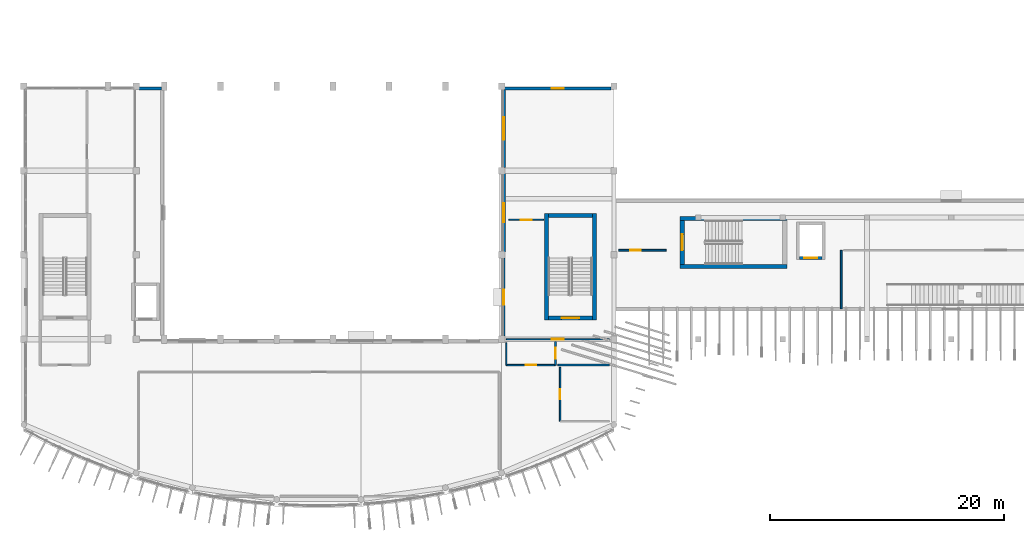
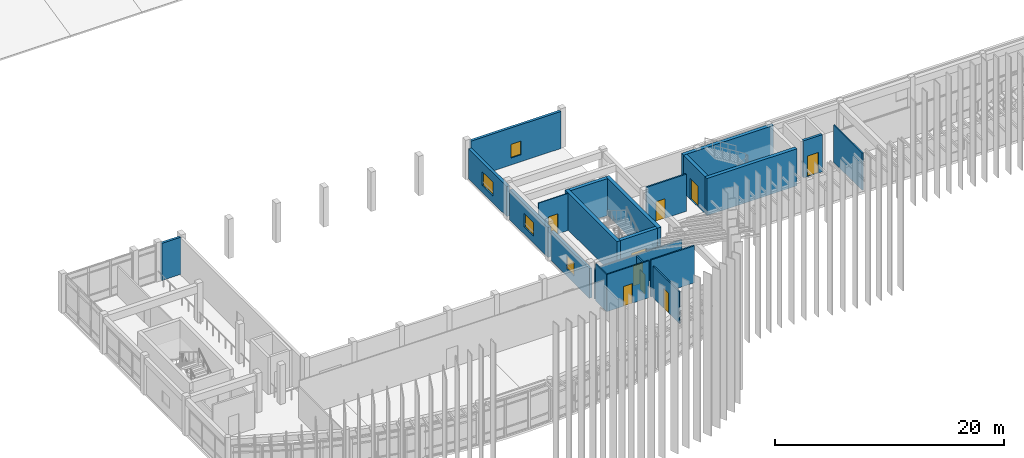
# One storey, part 30 of 47: 22 walls, 9 doors, 4 windows, 13 openings.
"""IFC4 building model written with IfcOpenShell, lengths in metres."""

from ifc_helpers import new_model, si_unit, direction, frame, frame_2d, origin, place, context, subcontext, project, spatial, rectangle, extrude, material, layer, layer_set, type_object, element, fill, save


model = new_model("IFC4")

# Units and contexts
model_context = context("Model", 3, precision=1e-05, world=origin(), true_north=direction((0.0, 1.0)))
body_context = subcontext(model_context, "Body", "Model", "MODEL_VIEW")
ifc_project = project(units=[si_unit("LENGTHUNIT", "METRE"), si_unit("AREAUNIT", "SQUARE_METRE"), si_unit("VOLUMEUNIT", "CUBIC_METRE"), si_unit("PLANEANGLEUNIT", "RADIAN"), si_unit("MASSUNIT", "GRAM", prefix="KILO")], contexts=[model_context])

# Site, building, storey
site_placement = place(None, origin())
site = spatial("IfcSite", under=ifc_project, at=site_placement, CompositionType="ELEMENT")
building_placement = place(site_placement, origin())
building = spatial("IfcBuilding", under=site, at=building_placement, Name="Brisavento Harbour Community Centre", CompositionType="ELEMENT")
storey_placement = place(building_placement, frame((0.0, 0.0, 8.699951171875)))
storey = spatial("IfcBuildingStorey", under=building, at=storey_placement, Name="L02", CompositionType="ELEMENT", Elevation=8.699951171875)

# Walls
ifc_material_1 = material(Name="Concrete C40/50", Category="concrete")
ifc_layer_1 = layer(ifc_material_1, 0.35009765625, Name="Concrete C40/50")
ifc_layer_set_1 = layer_set([ifc_layer_1], Name="Concrete C40/50")
wall_type_1 = type_object("IfcWallType", Name="WL-CORE-350", PredefinedType="SHEAR", material=ifc_layer_set_1)
for number, where, z_axis, x_axis, name in (
    (1, (48.72509765625, 16.050048828125, 0.0), (0.0, 0.0, 1.0), (0.0, 1.0, 0.0), "L02 core C1B shear wall L"),
    (2, (44.625, 25.14990234375, 0.0), (0.0, 0.0, 1.0), (0.0, -1.0, 0.0), "L02 core C1B shear wall R"),
):
    element("IfcWall", number, at=place(storey_placement, frame(where, z_axis=z_axis, x_axis=x_axis)), inside=storey, type_object=wall_type_1, Name=name, PredefinedType="SHEAR", context=body_context, shape_type="SweptSolid", body=[
        extrude(rectangle(XDim=9.099853515625, YDim=0.35009765625, at=frame_2d((4.5498046875, 0.0))), origin(), (0.0, 0.0, 1.0), 3.9599609375),
    ])
wall_1_placement = place(storey_placement, frame((48.550048828125, 24.97509765625, 0.0), z_axis=(0.0, 0.0, 1.0), x_axis=(-1.0, 0.0, 0.0)))
element("IfcWall", 3, at=wall_1_placement, inside=storey, type_object=wall_type_1, Name="L02 core C1B shear wall F", PredefinedType="SHEAR", context=body_context, shape_type="SweptSolid", body=[
    extrude(rectangle(XDim=3.75, YDim=0.35009765625, at=frame_2d((1.875, 0.0))), origin(), (0.0, 0.0, 1.0), 3.9599609375),
])

# Wall, opening, door
wall_2_placement = place(storey_placement, frame((44.800048828125, 16.22509765625, 0.0), z_axis=(0.0, 0.0, 1.0), x_axis=(1.0, 0.0, 0.0)))
wall_2 = element("IfcWall", 4, at=wall_2_placement, inside=storey, type_object=wall_type_1, Name="L02 core C1B shear wall N", PredefinedType="SHEAR", context=body_context, shape_type="SweptSolid", body=[
    extrude(rectangle(XDim=3.75, YDim=0.35009765625, at=frame_2d((1.875, 0.0))), origin(), (0.0, 0.0, 1.0), 3.9599609375),
])
opening_1_placement = place(wall_2_placement, frame((1.125, 0.0, 0.0)))
opening_1 = element("IfcOpeningElement", 5, at=opening_1_placement, cuts=wall_2, Name="Opening SD-01", PredefinedType="OPENING", context=body_context, shape_type="SweptSolid", body=[
    extrude(rectangle(XDim=1.5, YDim=2.199951171875, at=frame_2d((0.75, 1.10009765625))), frame((0.0, 0.18505859375, 0.0), z_axis=(0.0, -1.0, 0.0), x_axis=(1.0, 0.0, 0.0)), (0.0, 0.0, 1.0), 0.3701171875),
])
ifc_material_2 = material(Name="Fire-rated steel door assembly", Category="steel")
door_type_1 = type_object("IfcDoorType", Name="DR-STAIR-150x220", OperationType="NOTDEFINED", PredefinedType="DOOR", material=ifc_material_2)
door_1_placement = place(opening_1_placement, origin())
door_1 = element("IfcDoor", 6, at=door_1_placement, inside=storey, type_object=door_type_1, Name="L02 exit stair ST-02 fire door", OperationType="SINGLE_SWING_RIGHT", OverallHeight=2.199951171875, OverallWidth=1.5, PredefinedType="DOOR", context=body_context, shape_type="SweptSolid", body=[
    extrude(rectangle(XDim=1.5, YDim=2.199951171875, at=frame_2d((0.75, 1.10009765625))), frame((0.0, 0.02490234375, 0.0), z_axis=(0.0, -1.0, 0.0), x_axis=(1.0, 0.0, 0.0)), (0.0, 0.0, 1.0), 0.050048828125),
])
fill(opening_1, door_1)

# Walls
for number, where, z_axis, x_axis, name in (
    (7, (56.050048828125, 20.625, 0.0), (0.0, 0.0, 1.0), (1.0, 0.0, 0.0), "L02 core C2 shear wall L"),
    (8, (65.14990234375, 24.72509765625, 0.0), (0.0, 0.0, 1.0), (-1.0, 0.0, 0.0), "L02 core C2 shear wall R"),
):
    element("IfcWall", number, at=place(storey_placement, frame(where, z_axis=z_axis, x_axis=x_axis)), inside=storey, type_object=wall_type_1, Name=name, PredefinedType="SHEAR", context=body_context, shape_type="SweptSolid", body=[
        extrude(rectangle(XDim=9.099853515625, YDim=0.35009765625, at=frame_2d((4.5498046875, 0.0))), origin(), (0.0, 0.0, 1.0), 3.9599609375),
    ])

# Wall, opening, door
wall_3_placement = place(storey_placement, frame((56.22509765625, 24.550048828125, 0.0), z_axis=(0.0, 0.0, 1.0), x_axis=(0.0, -1.0, 0.0)))
wall_3 = element("IfcWall", 9, at=wall_3_placement, inside=storey, type_object=wall_type_1, Name="L02 core C2 shear wall N", PredefinedType="SHEAR", context=body_context, shape_type="SweptSolid", body=[
    extrude(rectangle(XDim=3.75, YDim=0.35009765625, at=frame_2d((1.875, 0.0))), origin(), (0.0, 0.0, 1.0), 3.9599609375),
])
opening_2_placement = place(wall_3_placement, frame((1.199951171875, 0.0, 0.0)))
opening_2 = element("IfcOpeningElement", 10, at=opening_2_placement, cuts=wall_3, Name="Opening SD-02", PredefinedType="OPENING", context=body_context, shape_type="SweptSolid", body=[
    extrude(rectangle(XDim=1.35009765625, YDim=2.199951171875, at=frame_2d((0.675048828125, 1.10009765625))), frame((0.0, 0.18505859375, 0.0), z_axis=(0.0, -1.0, 0.0), x_axis=(1.0, 0.0, 0.0)), (0.0, 0.0, 1.0), 0.3701171875),
])
door_type_2 = type_object("IfcDoorType", Name="DR-STAIR-135x220", OperationType="NOTDEFINED", PredefinedType="DOOR", material=ifc_material_2)
door_2_placement = place(opening_2_placement, origin())
door_2 = element("IfcDoor", 11, at=door_2_placement, inside=storey, type_object=door_type_2, Name="L02 exit stair ST-03 fire door", OperationType="SINGLE_SWING_LEFT", OverallHeight=2.199951171875, OverallWidth=1.35009765625, PredefinedType="DOOR", context=body_context, shape_type="SweptSolid", body=[
    extrude(rectangle(XDim=1.35009765625, YDim=2.199951171875, at=frame_2d((0.675048828125, 1.10009765625))), frame((0.0, 0.02490234375, 0.0), z_axis=(0.0, -1.0, 0.0), x_axis=(1.0, 0.0, 0.0)), (0.0, 0.0, 1.0), 0.050048828125),
])
fill(opening_2, door_2)

# Wall, opening, window
ifc_material_3 = material(Name="Terracotta masonry unit", Category="masonry")
ifc_layer_2 = layer(ifc_material_3, 0.239990234375, Name="Terracotta masonry unit")
ifc_layer_set_2 = layer_set([ifc_layer_2], Name="Terracotta masonry unit")
wall_type_2 = type_object("IfcWallType", Name="WL-EXT-240", PredefinedType="SOLIDWALL", material=ifc_layer_set_2)
wall_4_placement = place(storey_placement, frame((40.97998046875, 14.659912109375, 0.0), z_axis=(0.0, 0.0, 1.0), x_axis=(0.0, 1.0, 0.0)))
wall_4 = element("IfcWall", 12, at=wall_4_placement, inside=storey, type_object=wall_type_2, Name="L02 V1 exterior wall 0223", PredefinedType="SOLIDWALL", context=body_context, shape_type="SweptSolid", body=[
    extrude(rectangle(XDim=6.68017578125, YDim=0.239990234375, at=frame_2d((3.340087890625, 0.0))), origin(), (0.0, 0.0, 1.0), 3.16015625),
])
opening_3_placement = place(wall_4_placement, frame((2.68994140625, 0.0, 0.75)))
opening_3 = element("IfcOpeningElement", 13, at=opening_3_placement, cuts=wall_4, Name="Opening W-30", PredefinedType="OPENING", context=body_context, shape_type="SweptSolid", body=[
    extrude(rectangle(XDim=1.300048828125, YDim=1.449951171875, at=frame_2d((0.64990234375, 0.72509765625))), frame((0.0, 0.1298828125, 0.0), z_axis=(0.0, -1.0, 0.0), x_axis=(1.0, 0.0, 0.0)), (0.0, 0.0, 1.0), 0.260009765625),
])
ifc_material_4 = material(Name="Solar-control laminated low-E glass", Category="glass")
window_type_1 = type_object("IfcWindowType", Name="WIN-CAS-30", PartitioningType="SINGLE_PANEL", PredefinedType="WINDOW", material=ifc_material_4)
window_1_placement = place(opening_3_placement, origin())
window_1 = element("IfcWindow", 14, at=window_1_placement, inside=storey, type_object=window_type_1, Name="L02 V1 impact casement window 0102", OverallHeight=1.449951171875, OverallWidth=1.300048828125, PartitioningType="SINGLE_PANEL", PredefinedType="WINDOW", context=body_context, shape_type="SweptSolid", body=[
    extrude(rectangle(XDim=1.300048828125, YDim=1.449951171875, at=frame_2d((0.64990234375, 0.72509765625))), frame((0.0, 0.030029296875, 0.0), z_axis=(0.0, -1.0, 0.0), x_axis=(1.0, 0.0, 0.0)), (0.0, 0.0, 1.0), 0.06005859375),
])
fill(opening_3, window_1)

# Wall
wall_5_placement = place(storey_placement, frame((9.860107421875, 35.820068359375, 0.0), z_axis=(0.0, 0.0, 1.0), x_axis=(1.0, 0.0, 0.0)))
element("IfcWall", 15, at=wall_5_placement, inside=storey, type_object=wall_type_2, Name="L02 V1 exterior wall 0233", PredefinedType="SOLIDWALL", context=body_context, shape_type="SweptSolid", body=[
    extrude(rectangle(XDim=1.90478515625, YDim=0.239990234375, at=frame_2d((0.952392578125, 0.0))), origin(), (0.0, 0.0, 1.0), 3.9599609375),
])

# Wall, opening, window
ifc_layer_3 = layer(ifc_material_3, 0.260009765625, Name="Terracotta masonry unit")
ifc_layer_set_3 = layer_set([ifc_layer_3], Name="Terracotta masonry unit")
wall_type_3 = type_object("IfcWallType", Name="WL-EXT-260", PredefinedType="SOLIDWALL", material=ifc_layer_set_3)
wall_6_placement = place(storey_placement, frame((41.06005859375, 35.820068359375, 0.0), z_axis=(0.0, 0.0, 1.0), x_axis=(1.0, 0.0, 0.0)))
wall_6 = element("IfcWall", 16, at=wall_6_placement, inside=storey, type_object=wall_type_3, Name="L02 V1 exterior wall 0222", PredefinedType="SOLIDWALL", context=body_context, shape_type="SweptSolid", body=[
    extrude(rectangle(XDim=9.079833984375, YDim=0.260009765625, at=frame_2d((4.5400390625, 0.0))), origin(), (0.0, 0.0, 1.0), 3.9599609375),
])
opening_4_placement = place(wall_6_placement, frame((4.0400390625, 0.0, 0.75)))
opening_4 = element("IfcOpeningElement", 17, at=opening_4_placement, cuts=wall_6, Name="Opening W-29", PredefinedType="OPENING", context=body_context, shape_type="SweptSolid", body=[
    extrude(rectangle(XDim=1.0, YDim=1.449951171875, at=frame_2d((0.5, 0.72509765625))), frame((0.0, 0.14013671875, 0.0), z_axis=(0.0, -1.0, 0.0), x_axis=(1.0, 0.0, 0.0)), (0.0, 0.0, 1.0), 0.280029296875),
])
window_type_2 = type_object("IfcWindowType", Name="WIN-CAS-29", PartitioningType="SINGLE_PANEL", PredefinedType="WINDOW", material=ifc_material_4)
window_2_placement = place(opening_4_placement, origin())
window_2 = element("IfcWindow", 18, at=window_2_placement, inside=storey, type_object=window_type_2, Name="L02 V1 impact casement window 0101", OverallHeight=1.449951171875, OverallWidth=1.0, PartitioningType="SINGLE_PANEL", PredefinedType="WINDOW", context=body_context, shape_type="SweptSolid", body=[
    extrude(rectangle(XDim=1.0, YDim=1.449951171875, at=frame_2d((0.5, 0.72509765625))), frame((0.0, 0.030029296875, 0.0), z_axis=(0.0, -1.0, 0.0), x_axis=(1.0, 0.0, 0.0)), (0.0, 0.0, 1.0), 0.06005859375),
])
fill(opening_4, window_2)

ifc_material_5 = material(Name="Concrete C35/45", Category="concrete")
ifc_layer_4 = layer(ifc_material_5, 0.300048828125, Name="Concrete C35/45")
ifc_layer_set_4 = layer_set([ifc_layer_4], Name="Concrete C35/45")
wall_type_4 = type_object("IfcWallType", Name="WL-EXT-300", PredefinedType="SOLIDWALL", material=ifc_layer_set_4)
wall_7_placement = place(storey_placement, frame((40.97998046875, 29.06005859375, 0.0), z_axis=(0.0, 0.0, 1.0), x_axis=(0.0, 1.0, 0.0)))
wall_7 = element("IfcWall", 19, at=wall_7_placement, inside=storey, type_object=wall_type_4, Name="L02 V1 exterior wall 0225", PredefinedType="SOLIDWALL", context=body_context, shape_type="SweptSolid", body=[
    extrude(rectangle(XDim=6.679931640625, YDim=0.300048828125, at=frame_2d((3.33984375, 0.0))), origin(), (0.0, 0.0, 1.0), 3.2099609375),
])
opening_5_placement = place(wall_7_placement, frame((2.389892578125, 0.0, 0.75)))
opening_5 = element("IfcOpeningElement", 20, at=opening_5_placement, cuts=wall_7, Name="Opening W-32", PredefinedType="OPENING", context=body_context, shape_type="SweptSolid", body=[
    extrude(rectangle(XDim=1.89990234375, YDim=1.449951171875, at=frame_2d((0.949951171875, 0.72509765625))), frame((0.0, 0.16015625, 0.0), z_axis=(0.0, -1.0, 0.0), x_axis=(1.0, 0.0, 0.0)), (0.0, 0.0, 1.0), 0.320068359375),
])
window_type_3 = type_object("IfcWindowType", Name="WIN-CAS-32", PartitioningType="SINGLE_PANEL", PredefinedType="WINDOW", material=ifc_material_4)
window_3_placement = place(opening_5_placement, origin())
window_3 = element("IfcWindow", 21, at=window_3_placement, inside=storey, type_object=window_type_3, Name="L02 V1 impact casement window 0104", OverallHeight=1.449951171875, OverallWidth=1.89990234375, PartitioningType="SINGLE_PANEL", PredefinedType="WINDOW", context=body_context, shape_type="SweptSolid", body=[
    extrude(rectangle(XDim=1.89990234375, YDim=1.449951171875, at=frame_2d((0.949951171875, 0.72509765625))), frame((0.0, 0.030029296875, 0.0), z_axis=(0.0, -1.0, 0.0), x_axis=(1.0, 0.0, 0.0)), (0.0, 0.0, 1.0), 0.06005859375),
])
fill(opening_5, window_3)

ifc_layer_5 = layer(ifc_material_5, 0.320068359375, Name="Concrete C35/45")
ifc_layer_set_5 = layer_set([ifc_layer_5], Name="Concrete C35/45")
wall_type_5 = type_object("IfcWallType", Name="WL-EXT-320", PredefinedType="SOLIDWALL", material=ifc_layer_set_5)
wall_8_placement = place(storey_placement, frame((40.97998046875, 21.860107421875, 0.0), z_axis=(0.0, 0.0, 1.0), x_axis=(0.0, 1.0, 0.0)))
wall_8 = element("IfcWall", 22, at=wall_8_placement, inside=storey, type_object=wall_type_5, Name="L02 V1 exterior wall 0224", PredefinedType="SOLIDWALL", context=body_context, shape_type="SweptSolid", body=[
    extrude(rectangle(XDim=6.679931640625, YDim=0.320068359375, at=frame_2d((3.33984375, 0.0))), origin(), (0.0, 0.0, 1.0), 3.2099609375),
])
opening_6_placement = place(wall_8_placement, frame((2.5400390625, 0.0, 0.75)))
opening_6 = element("IfcOpeningElement", 23, at=opening_6_placement, cuts=wall_8, Name="Opening W-31", PredefinedType="OPENING", context=body_context, shape_type="SweptSolid", body=[
    extrude(rectangle(XDim=1.60009765625, YDim=1.449951171875, at=frame_2d((0.800048828125, 0.72509765625))), frame((0.0, 0.169921875, 0.0), z_axis=(0.0, -1.0, 0.0), x_axis=(1.0, 0.0, 0.0)), (0.0, 0.0, 1.0), 0.340087890625),
])
window_type_4 = type_object("IfcWindowType", Name="WIN-CAS-31", PartitioningType="SINGLE_PANEL", PredefinedType="WINDOW", material=ifc_material_4)
window_4_placement = place(opening_6_placement, origin())
window_4 = element("IfcWindow", 24, at=window_4_placement, inside=storey, type_object=window_type_4, Name="L02 V1 impact casement window 0103", OverallHeight=1.449951171875, OverallWidth=1.60009765625, PartitioningType="SINGLE_PANEL", PredefinedType="WINDOW", context=body_context, shape_type="SweptSolid", body=[
    extrude(rectangle(XDim=1.60009765625, YDim=1.449951171875, at=frame_2d((0.800048828125, 0.72509765625))), frame((0.0, 0.030029296875, 0.0), z_axis=(0.0, -1.0, 0.0), x_axis=(1.0, 0.0, 0.0)), (0.0, 0.0, 1.0), 0.06005859375),
])
fill(opening_6, window_4)

# Wall, opening, door
ifc_material_6 = material(Name="Lightweight stud partition", Category="other")
ifc_layer_6 = layer(ifc_material_6, 0.10009765625, Name="Lightweight stud partition")
ifc_layer_set_6 = layer_set([ifc_layer_6], Name="Lightweight stud partition")
wall_type_6 = type_object("IfcWallType", Name="WL-PRT-100", PredefinedType="PARTITIONING", material=ifc_layer_set_6)
wall_9_placement = place(storey_placement, frame((44.389892578125, 24.60009765625, 0.0), z_axis=(0.0, 0.0, 1.0), x_axis=(-1.0, 0.0, 0.0)))
wall_9 = element("IfcWall", 25, at=wall_9_placement, inside=storey, type_object=wall_type_6, Name="L02 Choral Rehearsal Room partition 0207", PredefinedType="PARTITIONING", context=body_context, shape_type="SweptSolid", body=[
    extrude(rectangle(XDim=2.9599609375, YDim=0.10009765625, at=frame_2d((1.47998046875, 0.0))), origin(), (0.0, 0.0, 1.0), 3.9599609375),
])
opening_7_placement = place(wall_9_placement, frame((1.0048828125, 0.0, 0.0)))
opening_7 = element("IfcOpeningElement", 26, at=opening_7_placement, cuts=wall_9, Name="Opening ID-10", PredefinedType="OPENING", context=body_context, shape_type="SweptSolid", body=[
    extrude(rectangle(XDim=0.949951171875, YDim=2.14990234375, at=frame_2d((0.47509765625, 1.074951171875))), frame((0.0, 0.06005859375, 0.0), z_axis=(0.0, -1.0, 0.0), x_axis=(1.0, 0.0, 0.0)), (0.0, 0.0, 1.0), 0.1201171875),
])
ifc_material_7 = material(Name="Solid-core tropical timber door", Category="wood")
door_type_3 = type_object("IfcDoorType", Name="DR-INT-095x215", OperationType="NOTDEFINED", PredefinedType="DOOR", material=ifc_material_7)
door_3_placement = place(opening_7_placement, origin())
door_3 = element("IfcDoor", 27, at=door_3_placement, inside=storey, type_object=door_type_3, Name="L02 Community Legal Advisory Suite door 0076", OperationType="SINGLE_SWING_LEFT", OverallHeight=2.14990234375, OverallWidth=0.949951171875, PredefinedType="DOOR", context=body_context, shape_type="SweptSolid", body=[
    extrude(rectangle(XDim=0.949951171875, YDim=2.14990234375, at=frame_2d((0.47509765625, 1.074951171875))), frame((0.0, 0.02490234375, 0.0), z_axis=(0.0, -1.0, 0.0), x_axis=(1.0, 0.0, 0.0)), (0.0, 0.0, 1.0), 0.050048828125),
])
fill(opening_7, door_3)

# Wall
wall_10_placement = place(storey_placement, frame((41.199951171875, 14.0849609375, 0.0), z_axis=(0.0, 0.0, 1.0), x_axis=(0.0, -1.0, 0.0)))
element("IfcWall", 28, at=wall_10_placement, inside=storey, type_object=wall_type_6, Name="L02 Male WC L02 partition 0239", PredefinedType="PARTITIONING", context=body_context, shape_type="SweptSolid", body=[
    extrude(rectangle(XDim=1.885009765625, YDim=0.10009765625, at=frame_2d((0.9423828125, 0.0))), origin(), (0.0, 0.0, 1.0), 3.9599609375),
])

# Wall, opening, door
ifc_material_8 = material(Name="Gypsum metal-stud partition", Category="other")
ifc_layer_7 = layer(ifc_material_8, 0.1201171875, Name="Gypsum metal-stud partition")
ifc_layer_set_7 = layer_set([ifc_layer_7], Name="Gypsum metal-stud partition")
wall_type_7 = type_object("IfcWallType", Name="WL-PRT-120", PredefinedType="PARTITIONING", material=ifc_layer_set_7)
wall_11_placement = place(storey_placement, frame((41.199951171875, 14.39990234375, 0.0), z_axis=(0.0, 0.0, 1.0), x_axis=(1.0, 0.0, 0.0)))
wall_11 = element("IfcWall", 29, at=wall_11_placement, inside=storey, type_object=wall_type_7, Name="L02 Choral Rehearsal Room partition 0206", PredefinedType="PARTITIONING", context=body_context, shape_type="SweptSolid", body=[
    extrude(rectangle(XDim=8.800048828125, YDim=0.1201171875, at=frame_2d((4.39990234375, 0.0))), origin(), (0.0, 0.0, 1.0), 3.260009765625),
])
opening_8_placement = place(wall_11_placement, frame((3.89990234375, 0.0, 0.0)))
opening_8 = element("IfcOpeningElement", 30, at=opening_8_placement, cuts=wall_11, Name="Opening ID-09", PredefinedType="OPENING", context=body_context, shape_type="SweptSolid", body=[
    extrude(rectangle(XDim=1.0, YDim=2.14990234375, at=frame_2d((0.5, 1.074951171875))), frame((0.0, 0.070068359375, 0.0), z_axis=(0.0, -1.0, 0.0), x_axis=(1.0, 0.0, 0.0)), (0.0, 0.0, 1.0), 0.14013671875),
])
door_type_4 = type_object("IfcDoorType", Name="DR-INT-100x215", OperationType="NOTDEFINED", PredefinedType="DOOR", material=ifc_material_7)
door_4_placement = place(opening_8_placement, origin())
door_4 = element("IfcDoor", 31, at=door_4_placement, inside=storey, type_object=door_type_4, Name="L02 Choral Rehearsal Room door 0075", OperationType="SINGLE_SWING_RIGHT", OverallHeight=2.14990234375, OverallWidth=1.0, PredefinedType="DOOR", context=body_context, shape_type="SweptSolid", body=[
    extrude(rectangle(XDim=1.0, YDim=2.14990234375, at=frame_2d((0.5, 1.074951171875))), frame((0.0, 0.02490234375, 0.0), z_axis=(0.0, -1.0, 0.0), x_axis=(1.0, 0.0, 0.0)), (0.0, 0.0, 1.0), 0.050048828125),
])
fill(opening_8, door_4)

wall_12_placement = place(storey_placement, frame((41.199951171875, 12.199951171875, 0.0), z_axis=(0.0, 0.0, 1.0), x_axis=(1.0, 0.0, 0.0)))
wall_12 = element("IfcWall", 32, at=wall_12_placement, inside=storey, type_object=wall_type_7, Name="L02 Male WC L02 partition 0238", PredefinedType="PARTITIONING", context=body_context, shape_type="SweptSolid", body=[
    extrude(rectangle(XDim=4.199951171875, YDim=0.1201171875, at=frame_2d((2.10009765625, 0.0))), origin(), (0.0, 0.0, 1.0), 3.9599609375),
])
opening_9_placement = place(wall_12_placement, frame((1.659912109375, 0.0, 0.0)))
opening_9 = element("IfcOpeningElement", 33, at=opening_9_placement, cuts=wall_12, Name="Opening WD-02", PredefinedType="OPENING", context=body_context, shape_type="SweptSolid", body=[
    extrude(rectangle(XDim=0.8798828125, YDim=2.10009765625, at=frame_2d((0.43994140625, 1.050048828125))), frame((0.0, 0.070068359375, 0.0), z_axis=(0.0, -1.0, 0.0), x_axis=(1.0, 0.0, 0.0)), (0.0, 0.0, 1.0), 0.14013671875),
])
ifc_material_9 = material(Name="Moisture-resistant laminate door", Category="other")
door_type_5 = type_object("IfcDoorType", Name="DR-WC-088x210", OperationType="NOTDEFINED", PredefinedType="DOOR", material=ifc_material_9)
door_5_placement = place(opening_9_placement, origin())
door_5 = element("IfcDoor", 34, at=door_5_placement, inside=storey, type_object=door_type_5, Name="L02 Male WC L02 door 0090", OperationType="SINGLE_SWING_LEFT", OverallHeight=2.10009765625, OverallWidth=0.8798828125, PredefinedType="DOOR", context=body_context, shape_type="SweptSolid", body=[
    extrude(rectangle(XDim=0.8798828125, YDim=2.10009765625, at=frame_2d((0.43994140625, 1.050048828125))), frame((0.0, 0.02490234375, 0.0), z_axis=(0.0, -1.0, 0.0), x_axis=(1.0, 0.0, 0.0)), (0.0, 0.0, 1.0), 0.050048828125),
])
fill(opening_9, door_5)

wall_13_placement = place(storey_placement, frame((45.800048828125, 12.0, 0.0), z_axis=(0.0, 0.0, 1.0), x_axis=(0.0, -1.0, 0.0)))
wall_13 = element("IfcWall", 35, at=wall_13_placement, inside=storey, type_object=wall_type_7, Name="L02 Accessible WC L02 partition 0242", PredefinedType="PARTITIONING", context=body_context, shape_type="SweptSolid", body=[
    extrude(rectangle(XDim=4.60009765625, YDim=0.1201171875, at=frame_2d((2.300048828125, 0.0))), origin(), (0.0, 0.0, 1.0), 3.360107421875),
])
opening_10_placement = place(wall_13_placement, frame((1.860107421875, 0.0, 0.0)))
opening_10 = element("IfcOpeningElement", 36, at=opening_10_placement, cuts=wall_13, Name="Opening WD-02", PredefinedType="OPENING", context=body_context, shape_type="SweptSolid", body=[
    extrude(rectangle(XDim=0.8798828125, YDim=2.10009765625, at=frame_2d((0.43994140625, 1.050048828125))), frame((0.0, 0.070068359375, 0.0), z_axis=(0.0, -1.0, 0.0), x_axis=(1.0, 0.0, 0.0)), (0.0, 0.0, 1.0), 0.14013671875),
])
door_6_placement = place(opening_10_placement, origin())
door_6 = element("IfcDoor", 37, at=door_6_placement, inside=storey, type_object=door_type_5, Name="L02 Accessible WC L02 door 0092", OperationType="SINGLE_SWING_LEFT", OverallHeight=2.10009765625, OverallWidth=0.8798828125, PredefinedType="DOOR", context=body_context, shape_type="SweptSolid", body=[
    extrude(rectangle(XDim=0.8798828125, YDim=2.10009765625, at=frame_2d((0.43994140625, 1.050048828125))), frame((0.0, 0.02490234375, 0.0), z_axis=(0.0, -1.0, 0.0), x_axis=(1.0, 0.0, 0.0)), (0.0, 0.0, 1.0), 0.050048828125),
])
fill(opening_10, door_6)

# Walls
ifc_layer_8 = layer(ifc_material_8, 0.139892578125, Name="Gypsum metal-stud partition")
ifc_layer_set_8 = layer_set([ifc_layer_8], Name="Gypsum metal-stud partition")
wall_type_8 = type_object("IfcWallType", Name="WL-PRT-140", PredefinedType="PARTITIONING", material=ifc_layer_set_8)
wall_14_placement = place(storey_placement, frame((69.800048828125, 17.0, 0.0), z_axis=(0.0, 0.0, 1.0), x_axis=(0.0, 1.0, 0.0)))
element("IfcWall", 38, at=wall_14_placement, inside=storey, type_object=wall_type_8, Name="L02 Civic Arts Exhibition Salon partition 0209", PredefinedType="PARTITIONING", context=body_context, shape_type="SweptSolid", body=[
    extrude(rectangle(XDim=5.0, YDim=0.139892578125, at=frame_2d((2.5, 0.0))), origin(), (0.0, 0.0, 1.0), 3.9599609375),
])
wall_15_placement = place(storey_placement, frame((45.60009765625, 12.199951171875, 0.0), z_axis=(0.0, 0.0, 1.0), x_axis=(1.0, 0.0, 0.0)))
element("IfcWall", 39, at=wall_15_placement, inside=storey, type_object=wall_type_8, Name="L02 Female WC L02 partition 0241", PredefinedType="PARTITIONING", context=body_context, shape_type="SweptSolid", body=[
    extrude(rectangle(XDim=4.39990234375, YDim=0.139892578125, at=frame_2d((2.199951171875, 0.0))), origin(), (0.0, 0.0, 1.0), 3.9599609375),
])

# Wall, opening, door
ifc_material_10 = material(Name="Moisture-resistant stud partition", Category="other")
ifc_layer_9 = layer(ifc_material_10, 0.14990234375, Name="Moisture-resistant stud partition")
ifc_layer_set_9 = layer_set([ifc_layer_9], Name="Moisture-resistant stud partition")
wall_type_9 = type_object("IfcWallType", Name="WL-PRT-150", PredefinedType="PARTITIONING", material=ifc_layer_set_9)
wall_16_placement = place(storey_placement, frame((54.840087890625, 22.0, 0.0), z_axis=(0.0, 0.0, 1.0), x_axis=(-1.0, 0.0, 0.0)))
wall_16 = element("IfcWall", 40, at=wall_16_placement, inside=storey, type_object=wall_type_9, Name="L02 Civic Arts Exhibition Salon partition 0208", PredefinedType="PARTITIONING", context=body_context, shape_type="SweptSolid", body=[
    extrude(rectangle(XDim=4.0400390625, YDim=0.14990234375, at=frame_2d((2.02001953125, 0.0))), origin(), (0.0, 0.0, 1.0), 3.9599609375),
])
opening_11_placement = place(wall_16_placement, frame((2.14501953125, 0.0, 0.0)))
opening_11 = element("IfcOpeningElement", 41, at=opening_11_placement, cuts=wall_16, Name="Opening ID-11", PredefinedType="OPENING", context=body_context, shape_type="SweptSolid", body=[
    extrude(rectangle(XDim=0.89990234375, YDim=2.10009765625, at=frame_2d((0.449951171875, 1.050048828125))), frame((0.0, 0.0849609375, 0.0), z_axis=(0.0, -1.0, 0.0), x_axis=(1.0, 0.0, 0.0)), (0.0, 0.0, 1.0), 0.169921875),
])
door_type_6 = type_object("IfcDoorType", Name="DR-INT-090x210", OperationType="NOTDEFINED", PredefinedType="DOOR", material=ifc_material_7)
door_7_placement = place(opening_11_placement, origin())
door_7 = element("IfcDoor", 42, at=door_7_placement, inside=storey, type_object=door_type_6, Name="L02 Civic Arts Exhibition Salon door 0077", OperationType="SINGLE_SWING_RIGHT", OverallHeight=2.10009765625, OverallWidth=0.89990234375, PredefinedType="DOOR", context=body_context, shape_type="SweptSolid", body=[
    extrude(rectangle(XDim=0.89990234375, YDim=2.10009765625, at=frame_2d((0.449951171875, 1.050048828125))), frame((0.0, 0.02490234375, 0.0), z_axis=(0.0, -1.0, 0.0), x_axis=(1.0, 0.0, 0.0)), (0.0, 0.0, 1.0), 0.050048828125),
])
fill(opening_11, door_7)

wall_17_placement = place(storey_placement, frame((45.39990234375, 12.199951171875, 0.0), z_axis=(0.0, 0.0, 1.0), x_axis=(0.0, 1.0, 0.0)))
wall_17 = element("IfcWall", 43, at=wall_17_placement, inside=storey, type_object=wall_type_9, Name="L02 Male WC L02 partition 0240", PredefinedType="PARTITIONING", context=body_context, shape_type="SweptSolid", body=[
    extrude(rectangle(XDim=2.0, YDim=0.14990234375, at=frame_2d((1.0, 0.0))), origin(), (0.0, 0.0, 1.0), 3.260009765625),
])
opening_12_placement = place(wall_17_placement, frame((0.5400390625, 0.0, 0.0)))
opening_12 = element("IfcOpeningElement", 44, at=opening_12_placement, cuts=wall_17, Name="Opening WD-01", PredefinedType="OPENING", context=body_context, shape_type="SweptSolid", body=[
    extrude(rectangle(XDim=0.919921875, YDim=2.10009765625, at=frame_2d((0.4599609375, 1.050048828125))), frame((0.0, 0.0849609375, 0.0), z_axis=(0.0, -1.0, 0.0), x_axis=(1.0, 0.0, 0.0)), (0.0, 0.0, 1.0), 0.169921875),
])
door_type_7 = type_object("IfcDoorType", Name="DR-WC-092x210", OperationType="NOTDEFINED", PredefinedType="DOOR", material=ifc_material_9)
door_8_placement = place(opening_12_placement, origin())
door_8 = element("IfcDoor", 45, at=door_8_placement, inside=storey, type_object=door_type_7, Name="L02 Female WC L02 door 0091", OperationType="SINGLE_SWING_RIGHT", OverallHeight=2.10009765625, OverallWidth=0.919921875, PredefinedType="DOOR", context=body_context, shape_type="SweptSolid", body=[
    extrude(rectangle(XDim=0.919921875, YDim=2.10009765625, at=frame_2d((0.4599609375, 1.050048828125))), frame((0.0, 0.02490234375, 0.0), z_axis=(0.0, -1.0, 0.0), x_axis=(1.0, 0.0, 0.0)), (0.0, 0.0, 1.0), 0.050048828125),
])
fill(opening_12, door_8)

ifc_layer_10 = layer(ifc_material_5, 0.25, Name="Concrete C35/45")
ifc_layer_set_10 = layer_set([ifc_layer_10], Name="Concrete C35/45")
wall_type_10 = type_object("IfcWallType", Name="WL-SHF-250", PredefinedType="SOLIDWALL", material=ifc_layer_set_10)
wall_18_placement = place(storey_placement, frame((66.25, 21.324951171875, 0.0), z_axis=(0.0, 0.0, 1.0), x_axis=(1.0, 0.0, 0.0)))
wall_18 = element("IfcWall", 46, at=wall_18_placement, inside=storey, type_object=wall_type_10, Name="L02 lift LC-04 shaft wall S", PredefinedType="SOLIDWALL", context=body_context, shape_type="SweptSolid", body=[
    extrude(rectangle(XDim=1.89990234375, YDim=0.25, at=frame_2d((0.949951171875, 0.0))), origin(), (0.0, 0.0, 1.0), 3.9599609375),
])
opening_13_placement = place(wall_18_placement, frame((0.39990234375, 0.0, 0.0)))
opening_13 = element("IfcOpeningElement", 47, at=opening_13_placement, cuts=wall_18, Name="Opening LD-01", PredefinedType="OPENING", context=body_context, shape_type="SweptSolid", body=[
    extrude(rectangle(XDim=1.10009765625, YDim=2.199951171875, at=frame_2d((0.550048828125, 1.10009765625))), frame((0.0, 0.135009765625, 0.0), z_axis=(0.0, -1.0, 0.0), x_axis=(1.0, 0.0, 0.0)), (0.0, 0.0, 1.0), 0.27001953125),
])
ifc_material_11 = material(Name="Stainless steel 1.4401", Category="steel")
door_type_8 = type_object("IfcDoorType", Name="DR-LIFT-110x220", OperationType="DOUBLE_DOOR_SLIDING", PredefinedType="DOOR", material=ifc_material_11)
door_9_placement = place(opening_13_placement, origin())
door_9 = element("IfcDoor", 48, at=door_9_placement, inside=storey, type_object=door_type_8, Name="L02 lift LC-04 landing sliding door", OperationType="DOUBLE_DOOR_SLIDING", OverallHeight=2.199951171875, OverallWidth=1.10009765625, PredefinedType="DOOR", context=body_context, shape_type="SweptSolid", body=[
    extrude(rectangle(XDim=1.10009765625, YDim=2.199951171875, at=frame_2d((0.550048828125, 1.10009765625))), frame((0.0, 0.02490234375, 0.0), z_axis=(0.0, -1.0, 0.0), x_axis=(1.0, 0.0, 0.0)), (0.0, 0.0, 1.0), 0.050048828125),
])
fill(opening_13, door_9)

save(model, "model.ifc")
